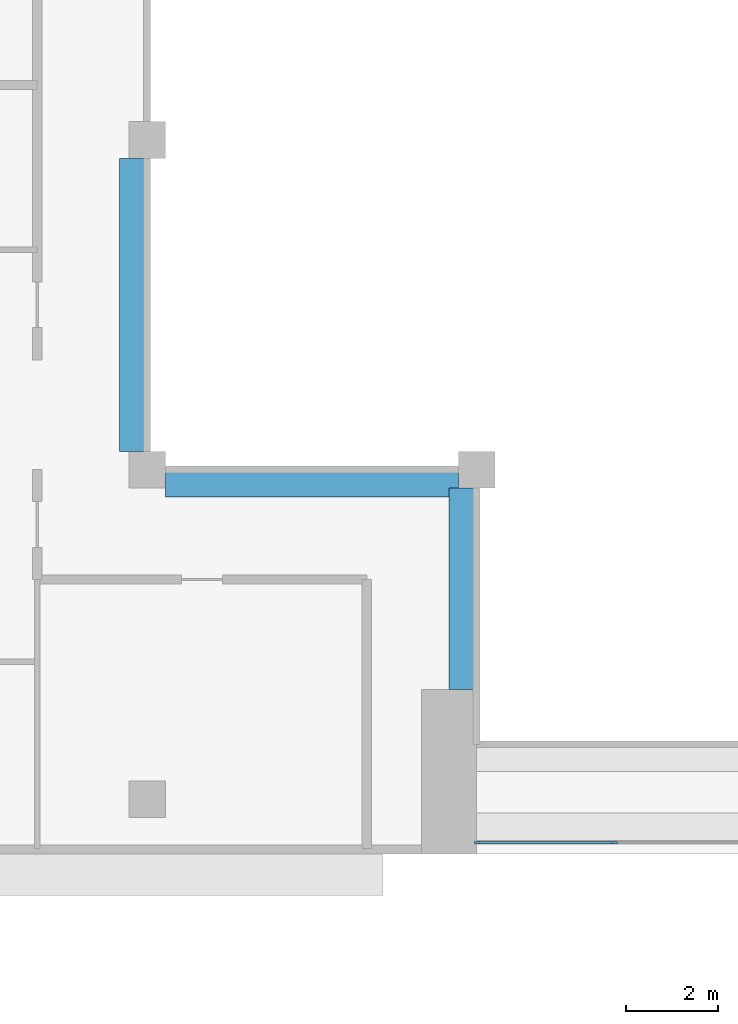
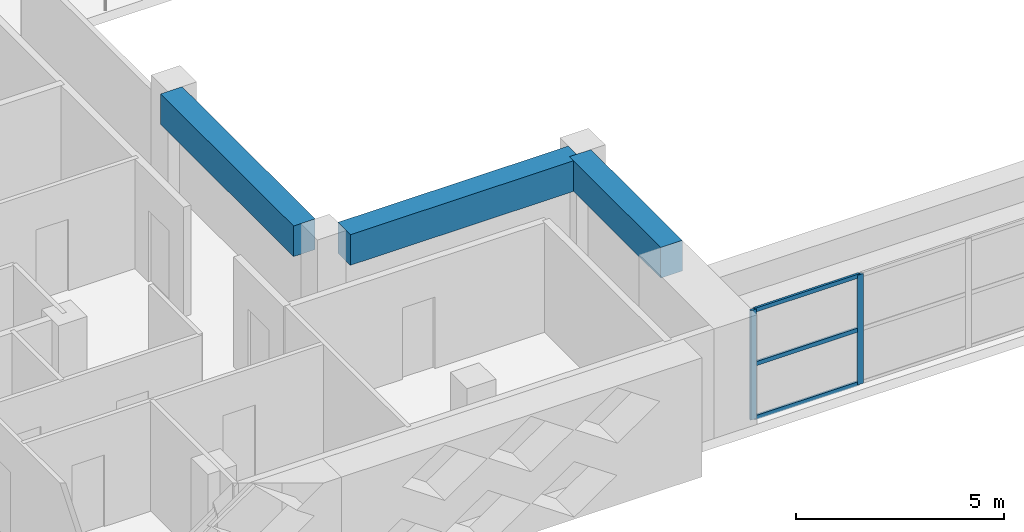
# One storey, part 2 of 19: 5 members, 3 beams, 1 element without a shape of its own.
"""IFC4 building model written with IfcOpenShell, lengths in metres."""

from ifc_helpers import new_model, si_unit, direction, frame, origin, origin_2d, place, context, subcontext, project, spatial, rectangle, extrude, source, transform, mapped, material, layer, layer_set, material_profile, profile_set, type_object, element, aggregate, save


model = new_model("IFC4")

# Units and contexts
model_context = context("Model", 3, precision=1e-05, world=origin(), true_north=direction((0.0, 1.0)))
body_context = subcontext(model_context, "Body", "Model", "MODEL_VIEW")
ifc_project = project(units=[si_unit("LENGTHUNIT", "METRE"), si_unit("AREAUNIT", "SQUARE_METRE"), si_unit("VOLUMEUNIT", "CUBIC_METRE"), si_unit("PLANEANGLEUNIT", "RADIAN"), si_unit("MASSUNIT", "GRAM", prefix="KILO")], contexts=[model_context])

# Site, building, storey
site_placement = place(None, origin())
site = spatial("IfcSite", under=ifc_project, at=site_placement, CompositionType="ELEMENT")
building_placement = place(site_placement, origin())
building = spatial("IfcBuilding", under=site, at=building_placement, Name="Saffron Iwan Residences", CompositionType="ELEMENT")
storey_placement = place(building_placement, frame((0.0, 0.0, 232.5)))
storey = spatial("IfcBuildingStorey", under=building, at=storey_placement, Name="L62", CompositionType="ELEMENT", Elevation=232.5)

# Beams
ifc_material_1 = material(Name="Concrete C40/50", Category="concrete")
ifc_material_profile_1 = material_profile(ifc_material_1, rectangle(XDim=0.60009765625, YDim=0.89990234375, at=origin_2d()), Name="RC 600x900")
ifc_profile_set_1 = profile_set([ifc_material_profile_1], Name="Concrete C40/50")
beam_type = type_object("IfcBeamType", Name="BEAM RC 600x900 C40/50 TOP 3220", PredefinedType="BEAM", material=ifc_profile_set_1)
shared_shape_1 = source(origin(), body_context, "Body", "SweptSolid", [
    extrude(rectangle(XDim=0.60009765625, YDim=0.89990234375, at=origin_2d()), origin(), (0.0, 0.0, 1.0), 4.400146484375),
])
beam_placement = place(storey_placement, frame((42.89990234375, 43.199951171875, 2.77001953125), z_axis=(0.0, 1.0, 0.0), x_axis=(-1.0, 0.0, 0.0)))
element("IfcBeam", 1, at=beam_placement, inside=storey, type_object=beam_type, Name="Atrium edge beam", PredefinedType="BEAM", context=body_context, shape_type="MappedRepresentation", body=[
    mapped(shared_shape_1, transform((0.0, 0.0, 0.0))),
])
shared_shape_2 = source(origin(), body_context, "Body", "SweptSolid", [
    extrude(rectangle(XDim=0.60009765625, YDim=0.89990234375, at=origin_2d()), origin(), (0.0, 0.0, 1.0), 6.400146484375),
])
for number, where, z_axis, x_axis, name in (
    (2, (42.800048828125, 47.699951171875, 2.77001953125), (-1.0, 0.0, 0.0), (0.0, -1.0, 0.0), "Atrium edge beam"),
    (3, (35.699951171875, 48.39990234375, 2.77001953125), (0.0, 1.0, 0.0), (-1.0, 0.0, 0.0), "Atrium edge beam"),
):
    element("IfcBeam", number, at=place(storey_placement, frame(where, z_axis=z_axis, x_axis=x_axis)), inside=storey, type_object=beam_type, Name=name, PredefinedType="BEAM", context=body_context, shape_type="MappedRepresentation", body=[
        mapped(shared_shape_2, transform((0.0, 0.0, 0.0))),
    ])

# Curtain wall, members
ifc_material_2 = material(Name="Clear glass, laminated double glazed", Category="glass")
ifc_layer = layer(ifc_material_2, 0.199951171875)
ifc_layer_set = layer_set([ifc_layer], Name="Clear glass, laminated double glazed")
curtain_wall_type = type_object("IfcCurtainWallType", Name="CW-B IWAN PORTAL", PredefinedType="NOTDEFINED", material=ifc_layer_set)
curtain_wall_placement = place(storey_placement, origin())
curtain_wall = element("IfcCurtainWall", 4, at=curtain_wall_placement, inside=storey, type_object=curtain_wall_type, Name="Iwan portal glazing L62.1", PredefinedType="NOTDEFINED")
ifc_material_3 = material(Name="Aluminium 6063-T6", Category="aluminium")
ifc_material_profile_2 = material_profile(ifc_material_3, rectangle(XDim=0.06005859375, YDim=0.1201171875, at=origin_2d()), Name="CW-B TRANSOM 60 x 120")
ifc_profile_set_2 = profile_set([ifc_material_profile_2], Name="Aluminium 6063-T6")
member_type_1 = type_object("IfcMemberType", Name="CW-B TRANSOM 60 x 120", PredefinedType="USERDEFINED", material=ifc_profile_set_2)
shared_shape_3 = source(origin(), body_context, "Body", "SweptSolid", [
    extrude(rectangle(XDim=0.06005859375, YDim=0.1201171875, at=origin_2d()), origin(), (0.0, 0.0, 1.0), 2.909912109375),
])
member_1_placement = place(storey_placement, frame((43.260009765625, 39.85009765625, 0.030029296875), z_axis=(1.0, 0.0, 0.0), x_axis=(0.0, 1.0, 0.0)))
member_1 = element("IfcMember", 5, at=member_1_placement, type_object=member_type_1, Name="CW-B transom 1.1", ObjectType="TRANSOM", PredefinedType="USERDEFINED", context=body_context, shape_type="MappedRepresentation", body=[
    mapped(shared_shape_3, transform((0.0, 0.0, 0.0))),
])
member_2_placement = place(storey_placement, frame((43.260009765625, 39.85009765625, 1.610107421875), z_axis=(1.0, 0.0, 0.0), x_axis=(0.0, 1.0, 0.0)))
member_2 = element("IfcMember", 6, at=member_2_placement, type_object=member_type_1, Name="CW-B transom 1.2", ObjectType="TRANSOM", PredefinedType="USERDEFINED", context=body_context, shape_type="MappedRepresentation", body=[
    mapped(shared_shape_3, transform((0.0, 0.0, 0.0))),
])
member_3_placement = place(storey_placement, frame((43.260009765625, 39.85009765625, 3.18994140625), z_axis=(1.0, 0.0, 0.0), x_axis=(0.0, 1.0, 0.0)))
member_3 = element("IfcMember", 7, at=member_3_placement, type_object=member_type_1, Name="CW-B transom 1.3", ObjectType="TRANSOM", PredefinedType="USERDEFINED", context=body_context, shape_type="MappedRepresentation", body=[
    mapped(shared_shape_3, transform((0.0, 0.0, 0.0))),
])
ifc_material_profile_3 = material_profile(ifc_material_3, rectangle(XDim=0.06005859375, YDim=0.159912109375, at=origin_2d()), Name="CW-B MULLION 60 x 160")
ifc_profile_set_3 = profile_set([ifc_material_profile_3], Name="Aluminium 6063-T6")
member_type_2 = type_object("IfcMemberType", Name="CW-B MULLION 60 x 160", PredefinedType="MULLION", material=ifc_profile_set_3)
shared_shape_4 = source(origin(), body_context, "Body", "SweptSolid", [
    extrude(rectangle(XDim=0.06005859375, YDim=0.159912109375, at=origin_2d()), origin(), (0.0, 0.0, 1.0), 3.219970703125),
])
member_4_placement = place(storey_placement, frame((43.22998046875, 39.85009765625, 0.0), z_axis=(0.0, 0.0, 1.0), x_axis=(0.0, 1.0, 0.0)))
member_4 = element("IfcMember", 8, at=member_4_placement, type_object=member_type_2, Name="CW-B mullion 1", PredefinedType="MULLION", context=body_context, shape_type="MappedRepresentation", body=[
    mapped(shared_shape_4, transform((0.0, 0.0, 0.0))),
])
member_5_placement = place(storey_placement, frame((46.199951171875, 39.85009765625, 0.0), z_axis=(0.0, 0.0, 1.0), x_axis=(0.0, 1.0, 0.0)))
member_5 = element("IfcMember", 9, at=member_5_placement, type_object=member_type_2, Name="CW-B mullion 2", PredefinedType="MULLION", context=body_context, shape_type="MappedRepresentation", body=[
    mapped(shared_shape_4, transform((0.0, 0.0, 0.0))),
])
aggregate(curtain_wall, [member_4, member_5, member_1, member_2, member_3])

save(model, "model.ifc")
